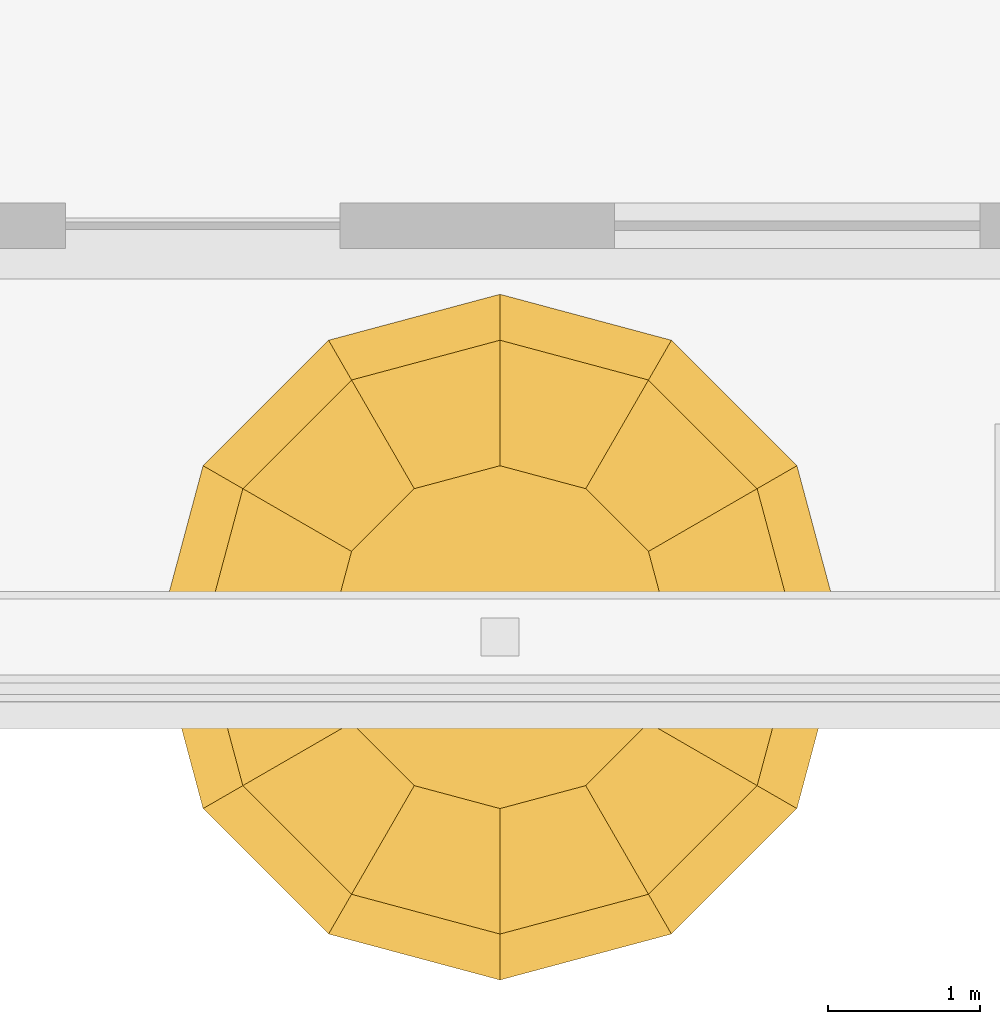
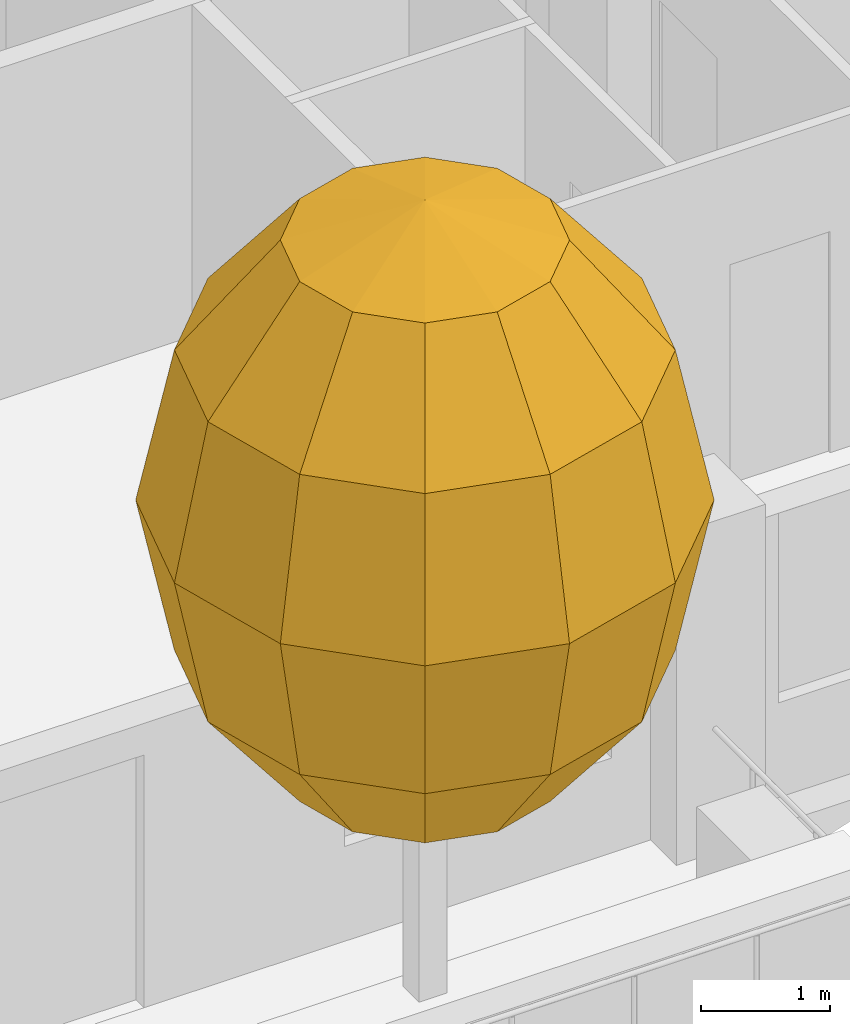
# One storey, part 17 of 17: 1 covering.
"""IFC4 building model written with IfcOpenShell, lengths in metres."""

from ifc_helpers import new_model, si_unit, direction, frame, origin, place, context, subcontext, project, spatial, triangles, material, layer, layer_set, type_object, element, save


model = new_model("IFC4")

# Units and contexts
model_context = context("Model", 3, precision=1e-05, world=origin(), true_north=direction((0.0, 1.0)))
body_context = subcontext(model_context, "Body", "Model", "MODEL_VIEW")
ifc_project = project(units=[si_unit("LENGTHUNIT", "METRE"), si_unit("AREAUNIT", "SQUARE_METRE"), si_unit("VOLUMEUNIT", "CUBIC_METRE"), si_unit("PLANEANGLEUNIT", "RADIAN"), si_unit("MASSUNIT", "GRAM", prefix="KILO")], contexts=[model_context])

# Site, building, storey
site_placement = place(None, origin())
site = spatial("IfcSite", under=ifc_project, at=site_placement, CompositionType="ELEMENT")
building_placement = place(site_placement, origin())
building = spatial("IfcBuilding", under=site, at=building_placement, Name="Ludao Terraces", CompositionType="ELEMENT")
storey_placement = place(building_placement, frame((0.0, 0.0, 210.89990234375)))
storey = spatial("IfcBuildingStorey", under=building, at=storey_placement, Name="L57", CompositionType="ELEMENT", Elevation=210.89990234375)

# Covering
ifc_material = material(Name="Planting")
ifc_layer = layer(ifc_material, 4.5)
ifc_layer_set = layer_set([ifc_layer], Name="ENV Tree crown 4500x5700")
covering_type = type_object("IfcCoveringType", Name="ENV Tree crown 4500x5700", PredefinedType="USERDEFINED", material=ifc_layer_set)
covering_placement = place(storey_placement, frame((92.800048828125, 39.050048828125, 6.0)))
element("IfcCovering", 1, at=covering_placement, inside=storey, type_object=covering_type, Name="Tree crown L57 S3", ObjectType="PLANTING", PredefinedType="USERDEFINED", context=body_context, shape_type="Tessellation", body=[
    triangles([(0.0, 0.0, 2.85009765625), (1.125, 0.0, 2.46826171875), (0.974365234375, 0.5625, 2.46826171875), (0.5625, 0.974365234375, 2.46826171875), (0.0, 1.125, 2.46826171875), (-0.5625, 0.974365234375, 2.46826171875), (-0.974365234375, 0.5625, 2.46826171875), (-1.125, 0.0, 2.46826171875), (-0.974365234375, -0.5625, 2.46826171875), (-0.5625, -0.974365234375, 2.46826171875), (0.0, -1.125, 2.46826171875), (0.5625, -0.974365234375, 2.46826171875), (0.974365234375, -0.5625, 2.46826171875), (1.948486328125, 0.0, 1.425048828125), (1.6875, 0.974365234375, 1.425048828125), (0.974365234375, 1.6875, 1.425048828125), (0.0, 1.948486328125, 1.425048828125), (-0.974365234375, 1.6875, 1.425048828125), (-1.6875, 0.974365234375, 1.425048828125), (-1.948486328125, 0.0, 1.425048828125), (-1.6875, -0.974365234375, 1.425048828125), (-0.974365234375, -1.6875, 1.425048828125), (0.0, -1.948486328125, 1.425048828125), (0.974365234375, -1.6875, 1.425048828125), (1.6875, -0.974365234375, 1.425048828125), (2.25, 0.0, 0.0), (1.948486328125, 1.125, 0.0), (1.125, 1.948486328125, 0.0), (0.0, 2.25, 0.0), (-1.125, 1.948486328125, 0.0), (-1.948486328125, 1.125, 0.0), (-2.25, 0.0, 0.0), (-1.948486328125, -1.125, 0.0), (-1.125, -1.948486328125, 0.0), (0.0, -2.25, 0.0), (1.125, -1.948486328125, 0.0), (1.948486328125, -1.125, 0.0), (1.948486328125, 0.0, -1.425048828125), (1.6875, 0.974365234375, -1.425048828125), (0.974365234375, 1.6875, -1.425048828125), (0.0, 1.948486328125, -1.425048828125), (-0.974365234375, 1.6875, -1.425048828125), (-1.6875, 0.974365234375, -1.425048828125), (-1.948486328125, 0.0, -1.425048828125), (-1.6875, -0.974365234375, -1.425048828125), (-0.974365234375, -1.6875, -1.425048828125), (0.0, -1.948486328125, -1.425048828125), (0.974365234375, -1.6875, -1.425048828125), (1.6875, -0.974365234375, -1.425048828125), (1.125, 0.0, -2.46826171875), (0.974365234375, 0.5625, -2.46826171875), (0.5625, 0.974365234375, -2.46826171875), (0.0, 1.125, -2.46826171875), (-0.5625, 0.974365234375, -2.46826171875), (-0.974365234375, 0.5625, -2.46826171875), (-1.125, 0.0, -2.46826171875), (-0.974365234375, -0.5625, -2.46826171875), (-0.5625, -0.974365234375, -2.46826171875), (0.0, -1.125, -2.46826171875), (0.5625, -0.974365234375, -2.46826171875), (0.974365234375, -0.5625, -2.46826171875), (0.0, 0.0, -2.85009765625)], [[1, 2, 3], [1, 3, 4], [1, 4, 5], [1, 5, 6], [1, 6, 7], [1, 7, 8], [1, 8, 9], [1, 9, 10], [1, 10, 11], [1, 11, 12], [1, 12, 13], [1, 13, 2], [2, 14, 15], [2, 15, 3], [3, 15, 16], [3, 16, 4], [4, 16, 17], [4, 17, 5], [5, 17, 18], [5, 18, 6], [6, 18, 19], [6, 19, 7], [7, 19, 20], [7, 20, 8], [8, 20, 21], [8, 21, 9], [9, 21, 22], [9, 22, 10], [10, 22, 23], [10, 23, 11], [11, 23, 24], [11, 24, 12], [12, 24, 25], [12, 25, 13], [13, 25, 14], [13, 14, 2], [14, 26, 27], [14, 27, 15], [15, 27, 28], [15, 28, 16], [16, 28, 29], [16, 29, 17], [17, 29, 30], [17, 30, 18], [18, 30, 31], [18, 31, 19], [19, 31, 32], [19, 32, 20], [20, 32, 33], [20, 33, 21], [21, 33, 34], [21, 34, 22], [22, 34, 35], [22, 35, 23], [23, 35, 36], [23, 36, 24], [24, 36, 37], [24, 37, 25], [25, 37, 26], [25, 26, 14], [26, 38, 39], [26, 39, 27], [27, 39, 40], [27, 40, 28], [28, 40, 41], [28, 41, 29], [29, 41, 42], [29, 42, 30], [30, 42, 43], [30, 43, 31], [31, 43, 44], [31, 44, 32], [32, 44, 45], [32, 45, 33], [33, 45, 46], [33, 46, 34], [34, 46, 47], [34, 47, 35], [35, 47, 48], [35, 48, 36], [36, 48, 49], [36, 49, 37], [37, 49, 38], [37, 38, 26], [38, 50, 51], [38, 51, 39], [39, 51, 52], [39, 52, 40], [40, 52, 53], [40, 53, 41], [41, 53, 54], [41, 54, 42], [42, 54, 55], [42, 55, 43], [43, 55, 56], [43, 56, 44], [44, 56, 57], [44, 57, 45], [45, 57, 58], [45, 58, 46], [46, 58, 59], [46, 59, 47], [47, 59, 60], [47, 60, 48], [48, 60, 61], [48, 61, 49], [49, 61, 50], [49, 50, 38], [62, 51, 50], [62, 52, 51], [62, 53, 52], [62, 54, 53], [62, 55, 54], [62, 56, 55], [62, 57, 56], [62, 58, 57], [62, 59, 58], [62, 60, 59], [62, 61, 60], [62, 50, 61]], closed=True),
])

save(model, "model.ifc")
